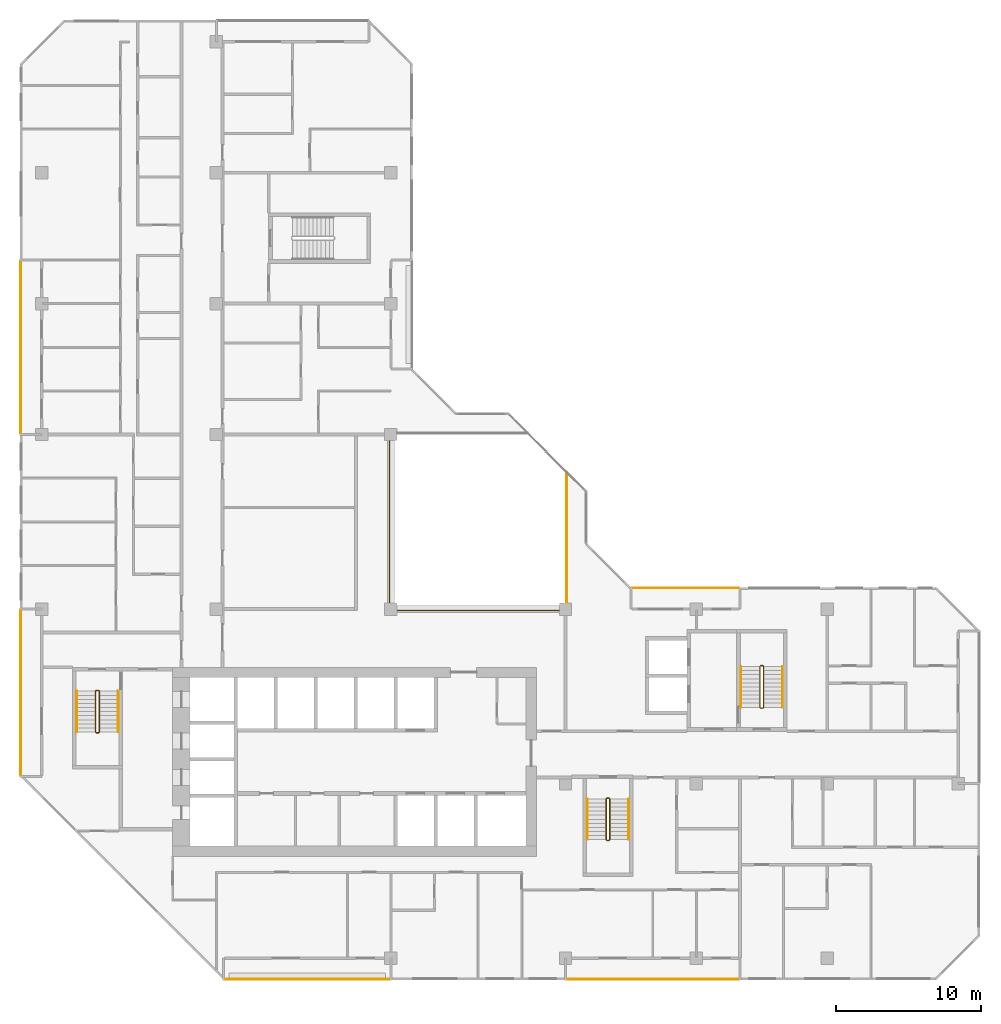
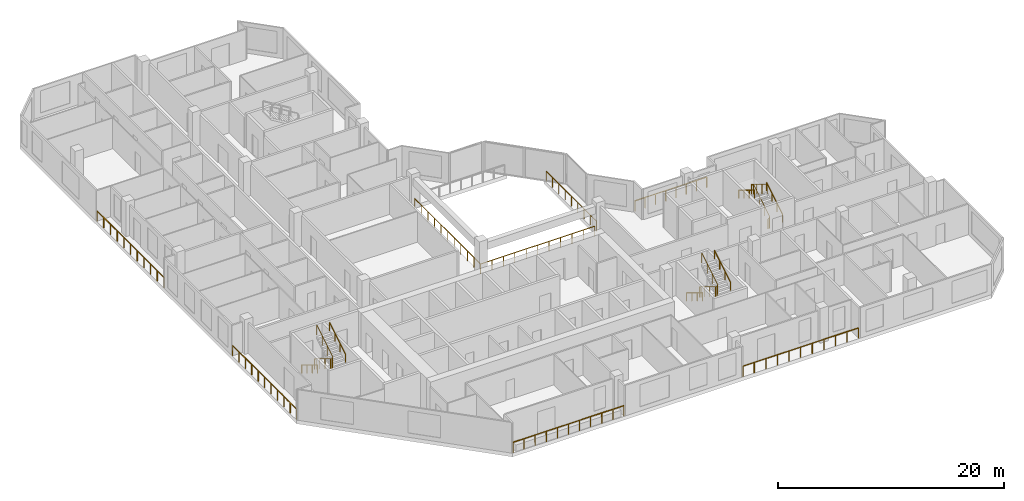
# One storey, part 14 of 15: 16 railings.
"""IFC4 building model written with IfcOpenShell, lengths in metres."""

from ifc_helpers import new_model, si_unit, direction, frame, origin, origin_2d, place, context, subcontext, project, spatial, rectangle, extrude, material, type_object, element, save


model = new_model("IFC4")

# Units and contexts
model_context = context("Model", 3, precision=1e-05, world=origin(), true_north=direction((0.0, 1.0)))
body_context = subcontext(model_context, "Body", "Model", "MODEL_VIEW")
ifc_project = project(units=[si_unit("LENGTHUNIT", "METRE"), si_unit("AREAUNIT", "SQUARE_METRE"), si_unit("VOLUMEUNIT", "CUBIC_METRE"), si_unit("PLANEANGLEUNIT", "RADIAN"), si_unit("MASSUNIT", "GRAM", prefix="KILO")], contexts=[model_context])

# Site, building, storey
site_placement = place(None, origin())
site = spatial("IfcSite", under=ifc_project, at=site_placement, CompositionType="ELEMENT")
building_placement = place(site_placement, origin())
building = spatial("IfcBuilding", under=site, at=building_placement, Name="Chenar Terraces", CompositionType="ELEMENT")
storey_placement = place(building_placement, frame((0.0, 0.0, 252.89990234375)))
storey = spatial("IfcBuildingStorey", under=building, at=storey_placement, Name="L60", CompositionType="ELEMENT", Elevation=252.89990234375)

# Railings
ifc_material_1 = material(Name="Powder-coated steel", Category="steel")
railing_type_1 = type_object("IfcRailingType", Name="Guard 1100 steel rail with glass infill", PredefinedType="GUARDRAIL", material=ifc_material_1)
railing_1_placement = place(storey_placement, frame((23.89990234375, 35.574951171875, 0.0)))
element("IfcRailing", 1, at=railing_1_placement, inside=storey, type_object=railing_type_1, Name="Guard L60-1", PredefinedType="GUARDRAIL", context=body_context, shape_type="SweptSolid", body=[
    extrude(rectangle(XDim=0.06005859375, YDim=0.06005859375, at=origin_2d()), frame((0.0, 0.0, 1.070068359375), z_axis=(0.0, -1.0, 0.0), x_axis=(1.0, 0.0, 0.0)), (0.0, 0.0, 1.0), 11.675048828125),
    extrude(rectangle(XDim=0.06005859375, YDim=0.06005859375, at=origin_2d()), frame((0.0, -11.675048828125, 1.070068359375), z_axis=(1.0, 0.0, 0.0), x_axis=(0.0, 1.0, 0.0)), (0.0, 0.0, 1.0), 11.675048828125),
    extrude(rectangle(XDim=0.050048828125, YDim=0.050048828125, at=origin_2d()), origin(), (0.0, 0.0, 1.0), 1.0400390625),
    extrude(rectangle(XDim=0.050048828125, YDim=0.050048828125, at=origin_2d()), frame((0.0, -1.16748046875, 0.0)), (0.0, 0.0, 1.0), 1.0400390625),
    extrude(rectangle(XDim=0.050048828125, YDim=0.050048828125, at=origin_2d()), frame((0.0, -2.3349609375, 0.0)), (0.0, 0.0, 1.0), 1.0400390625),
    extrude(rectangle(XDim=0.050048828125, YDim=0.050048828125, at=origin_2d()), frame((0.0, -3.50244140625, 0.0)), (0.0, 0.0, 1.0), 1.0400390625),
    extrude(rectangle(XDim=0.050048828125, YDim=0.050048828125, at=origin_2d()), frame((0.0, -4.669921875, 0.0)), (0.0, 0.0, 1.0), 1.0400390625),
    extrude(rectangle(XDim=0.050048828125, YDim=0.050048828125, at=origin_2d()), frame((0.0, -5.83740234375, 0.0)), (0.0, 0.0, 1.0), 1.0400390625),
    extrude(rectangle(XDim=0.050048828125, YDim=0.050048828125, at=origin_2d()), frame((0.0, -7.005126953125, 0.0)), (0.0, 0.0, 1.0), 1.0400390625),
    extrude(rectangle(XDim=0.050048828125, YDim=0.050048828125, at=origin_2d()), frame((0.0, -8.172607421875, 0.0)), (0.0, 0.0, 1.0), 1.0400390625),
    extrude(rectangle(XDim=0.050048828125, YDim=0.050048828125, at=origin_2d()), frame((0.0, -9.340087890625, 0.0)), (0.0, 0.0, 1.0), 1.0400390625),
    extrude(rectangle(XDim=0.050048828125, YDim=0.050048828125, at=origin_2d()), frame((0.0, -10.507568359375, 0.0)), (0.0, 0.0, 1.0), 1.0400390625),
    extrude(rectangle(XDim=0.050048828125, YDim=0.050048828125, at=origin_2d()), frame((0.0, -11.675048828125, 0.0)), (0.0, 0.0, 1.0), 1.0400390625),
    extrude(rectangle(XDim=0.050048828125, YDim=0.050048828125, at=origin_2d()), frame((1.16748046875, -11.675048828125, 0.0)), (0.0, 0.0, 1.0), 1.0400390625),
    extrude(rectangle(XDim=0.050048828125, YDim=0.050048828125, at=origin_2d()), frame((2.3349609375, -11.675048828125, 0.0)), (0.0, 0.0, 1.0), 1.0400390625),
    extrude(rectangle(XDim=0.050048828125, YDim=0.050048828125, at=origin_2d()), frame((3.50244140625, -11.675048828125, 0.0)), (0.0, 0.0, 1.0), 1.0400390625),
    extrude(rectangle(XDim=0.050048828125, YDim=0.050048828125, at=origin_2d()), frame((4.669921875, -11.675048828125, 0.0)), (0.0, 0.0, 1.0), 1.0400390625),
    extrude(rectangle(XDim=0.050048828125, YDim=0.050048828125, at=origin_2d()), frame((5.83740234375, -11.675048828125, 0.0)), (0.0, 0.0, 1.0), 1.0400390625),
    extrude(rectangle(XDim=0.050048828125, YDim=0.050048828125, at=origin_2d()), frame((7.005126953125, -11.675048828125, 0.0)), (0.0, 0.0, 1.0), 1.0400390625),
    extrude(rectangle(XDim=0.050048828125, YDim=0.050048828125, at=origin_2d()), frame((8.172607421875, -11.675048828125, 0.0)), (0.0, 0.0, 1.0), 1.0400390625),
    extrude(rectangle(XDim=0.050048828125, YDim=0.050048828125, at=origin_2d()), frame((9.340087890625, -11.675048828125, 0.0)), (0.0, 0.0, 1.0), 1.0400390625),
    extrude(rectangle(XDim=0.050048828125, YDim=0.050048828125, at=origin_2d()), frame((10.507568359375, -11.675048828125, 0.0)), (0.0, 0.0, 1.0), 1.0400390625),
    extrude(rectangle(XDim=0.050048828125, YDim=0.050048828125, at=origin_2d()), frame((11.675048828125, -11.675048828125, 0.0)), (0.0, 0.0, 1.0), 1.0400390625),
])
railing_2_placement = place(storey_placement, frame((36.10009765625, 24.47509765625, 0.0)))
element("IfcRailing", 2, at=railing_2_placement, inside=storey, type_object=railing_type_1, Name="Guard L60-3", PredefinedType="GUARDRAIL", context=body_context, shape_type="SweptSolid", body=[
    extrude(rectangle(XDim=0.06005859375, YDim=0.06005859375, at=origin_2d()), frame((0.0, 0.0, 1.070068359375), z_axis=(0.0, 1.0, 0.0), x_axis=(-1.0, 0.0, 0.0)), (0.0, 0.0, 1.0), 8.9248046875),
    extrude(rectangle(XDim=0.050048828125, YDim=0.050048828125, at=origin_2d()), origin(), (0.0, 0.0, 1.0), 1.0400390625),
    extrude(rectangle(XDim=0.050048828125, YDim=0.050048828125, at=origin_2d()), frame((0.0, 1.11572265625, 0.0)), (0.0, 0.0, 1.0), 1.0400390625),
    extrude(rectangle(XDim=0.050048828125, YDim=0.050048828125, at=origin_2d()), frame((0.0, 2.231201171875, 0.0)), (0.0, 0.0, 1.0), 1.0400390625),
    extrude(rectangle(XDim=0.050048828125, YDim=0.050048828125, at=origin_2d()), frame((0.0, 3.3466796875, 0.0)), (0.0, 0.0, 1.0), 1.0400390625),
    extrude(rectangle(XDim=0.050048828125, YDim=0.050048828125, at=origin_2d()), frame((0.0, 4.46240234375, 0.0)), (0.0, 0.0, 1.0), 1.0400390625),
    extrude(rectangle(XDim=0.050048828125, YDim=0.050048828125, at=origin_2d()), frame((0.0, 5.578125, 0.0)), (0.0, 0.0, 1.0), 1.0400390625),
    extrude(rectangle(XDim=0.050048828125, YDim=0.050048828125, at=origin_2d()), frame((0.0, 6.693603515625, 0.0)), (0.0, 0.0, 1.0), 1.0400390625),
    extrude(rectangle(XDim=0.050048828125, YDim=0.050048828125, at=origin_2d()), frame((0.0, 7.80908203125, 0.0)), (0.0, 0.0, 1.0), 1.0400390625),
    extrude(rectangle(XDim=0.050048828125, YDim=0.050048828125, at=origin_2d()), frame((0.0, 8.9248046875, 0.0)), (0.0, 0.0, 1.0), 1.0400390625),
])
ifc_material_2 = material(Name="Stainless steel and glass", Category="steel")
railing_type_2 = type_object("IfcRailingType", Name="Loggia guard 1150", PredefinedType="GUARDRAIL", material=ifc_material_2)
railing_3_placement = place(storey_placement, frame((47.925048828125, 25.449951171875, 0.0)))
element("IfcRailing", 3, at=railing_3_placement, inside=storey, type_object=railing_type_2, Name="Loggia guard", PredefinedType="GUARDRAIL", context=body_context, shape_type="SweptSolid", body=[
    extrude(rectangle(XDim=0.048095703125, YDim=0.048095703125, at=origin_2d()), frame((0.0, 0.0, 1.1259765625), z_axis=(-1.0, 0.0, 0.0), x_axis=(0.0, -1.0, 0.0)), (0.0, 0.0, 1.0), 7.35009765625),
    extrude(rectangle(XDim=0.0419921875, YDim=0.0419921875, at=origin_2d()), origin(), (0.0, 0.0, 1.0), 1.101806640625),
    extrude(rectangle(XDim=0.0419921875, YDim=0.0419921875, at=origin_2d()), frame((-1.050048828125, 0.0, 0.0)), (0.0, 0.0, 1.0), 1.101806640625),
    extrude(rectangle(XDim=0.0419921875, YDim=0.0419921875, at=origin_2d()), frame((-2.10009765625, 0.0, 0.0)), (0.0, 0.0, 1.0), 1.101806640625),
    extrude(rectangle(XDim=0.0419921875, YDim=0.0419921875, at=origin_2d()), frame((-3.150146484375, 0.0, 0.0)), (0.0, 0.0, 1.0), 1.101806640625),
    extrude(rectangle(XDim=0.0419921875, YDim=0.0419921875, at=origin_2d()), frame((-4.199951171875, 0.0, 0.0)), (0.0, 0.0, 1.0), 1.101806640625),
    extrude(rectangle(XDim=0.0419921875, YDim=0.0419921875, at=origin_2d()), frame((-5.25, 0.0, 0.0)), (0.0, 0.0, 1.0), 1.101806640625),
    extrude(rectangle(XDim=0.0419921875, YDim=0.0419921875, at=origin_2d()), frame((-6.300048828125, 0.0, 0.0)), (0.0, 0.0, 1.0), 1.101806640625),
    extrude(rectangle(XDim=0.0419921875, YDim=0.0419921875, at=origin_2d()), frame((-7.35009765625, 0.0, 0.0)), (0.0, 0.0, 1.0), 1.101806640625),
])
railing_4_placement = place(storey_placement, frame((12.574951171875, -1.449951171875, 0.0)))
element("IfcRailing", 4, at=railing_4_placement, inside=storey, type_object=railing_type_2, Name="Loggia guard", PredefinedType="GUARDRAIL", context=body_context, shape_type="SweptSolid", body=[
    extrude(rectangle(XDim=0.048095703125, YDim=0.048095703125, at=origin_2d()), frame((0.0, 0.0, 1.1259765625), z_axis=(1.0, 0.0, 0.0), x_axis=(0.0, 1.0, 0.0)), (0.0, 0.0, 1.0), 11.35009765625),
    extrude(rectangle(XDim=0.0419921875, YDim=0.0419921875, at=origin_2d()), origin(), (0.0, 0.0, 1.0), 1.101806640625),
    extrude(rectangle(XDim=0.0419921875, YDim=0.0419921875, at=origin_2d()), frame((1.135009765625, 0.0, 0.0)), (0.0, 0.0, 1.0), 1.101806640625),
    extrude(rectangle(XDim=0.0419921875, YDim=0.0419921875, at=origin_2d()), frame((2.27001953125, 0.0, 0.0)), (0.0, 0.0, 1.0), 1.101806640625),
    extrude(rectangle(XDim=0.0419921875, YDim=0.0419921875, at=origin_2d()), frame((3.405029296875, 0.0, 0.0)), (0.0, 0.0, 1.0), 1.101806640625),
    extrude(rectangle(XDim=0.0419921875, YDim=0.0419921875, at=origin_2d()), frame((4.5400390625, 0.0, 0.0)), (0.0, 0.0, 1.0), 1.101806640625),
    extrude(rectangle(XDim=0.0419921875, YDim=0.0419921875, at=origin_2d()), frame((5.675048828125, 0.0, 0.0)), (0.0, 0.0, 1.0), 1.101806640625),
    extrude(rectangle(XDim=0.0419921875, YDim=0.0419921875, at=origin_2d()), frame((6.81005859375, 0.0, 0.0)), (0.0, 0.0, 1.0), 1.101806640625),
    extrude(rectangle(XDim=0.0419921875, YDim=0.0419921875, at=origin_2d()), frame((7.945068359375, 0.0, 0.0)), (0.0, 0.0, 1.0), 1.101806640625),
    extrude(rectangle(XDim=0.0419921875, YDim=0.0419921875, at=origin_2d()), frame((9.080078125, 0.0, 0.0)), (0.0, 0.0, 1.0), 1.101806640625),
    extrude(rectangle(XDim=0.0419921875, YDim=0.0419921875, at=origin_2d()), frame((10.215087890625, 0.0, 0.0)), (0.0, 0.0, 1.0), 1.101806640625),
    extrude(rectangle(XDim=0.0419921875, YDim=0.0419921875, at=origin_2d()), frame((11.35009765625, 0.0, 0.0)), (0.0, 0.0, 1.0), 1.101806640625),
])
railing_5_placement = place(storey_placement, frame((36.074951171875, -1.449951171875, 0.0)))
element("IfcRailing", 5, at=railing_5_placement, inside=storey, type_object=railing_type_2, Name="Loggia guard", PredefinedType="GUARDRAIL", context=body_context, shape_type="SweptSolid", body=[
    extrude(rectangle(XDim=0.048095703125, YDim=0.048095703125, at=origin_2d()), frame((0.0, 0.0, 1.1259765625), z_axis=(1.0, 0.0, 0.0), x_axis=(0.0, 1.0, 0.0)), (0.0, 0.0, 1.0), 11.85009765625),
    extrude(rectangle(XDim=0.0419921875, YDim=0.0419921875, at=origin_2d()), origin(), (0.0, 0.0, 1.0), 1.101806640625),
    extrude(rectangle(XDim=0.0419921875, YDim=0.0419921875, at=origin_2d()), frame((1.18505859375, 0.0, 0.0)), (0.0, 0.0, 1.0), 1.101806640625),
    extrude(rectangle(XDim=0.0419921875, YDim=0.0419921875, at=origin_2d()), frame((2.3701171875, 0.0, 0.0)), (0.0, 0.0, 1.0), 1.101806640625),
    extrude(rectangle(XDim=0.0419921875, YDim=0.0419921875, at=origin_2d()), frame((3.554931640625, 0.0, 0.0)), (0.0, 0.0, 1.0), 1.101806640625),
    extrude(rectangle(XDim=0.0419921875, YDim=0.0419921875, at=origin_2d()), frame((4.739990234375, 0.0, 0.0)), (0.0, 0.0, 1.0), 1.101806640625),
    extrude(rectangle(XDim=0.0419921875, YDim=0.0419921875, at=origin_2d()), frame((5.925048828125, 0.0, 0.0)), (0.0, 0.0, 1.0), 1.101806640625),
    extrude(rectangle(XDim=0.0419921875, YDim=0.0419921875, at=origin_2d()), frame((7.110107421875, 0.0, 0.0)), (0.0, 0.0, 1.0), 1.101806640625),
    extrude(rectangle(XDim=0.0419921875, YDim=0.0419921875, at=origin_2d()), frame((8.295166015625, 0.0, 0.0)), (0.0, 0.0, 1.0), 1.101806640625),
    extrude(rectangle(XDim=0.0419921875, YDim=0.0419921875, at=origin_2d()), frame((9.47998046875, 0.0, 0.0)), (0.0, 0.0, 1.0), 1.101806640625),
    extrude(rectangle(XDim=0.0419921875, YDim=0.0419921875, at=origin_2d()), frame((10.6650390625, 0.0, 0.0)), (0.0, 0.0, 1.0), 1.101806640625),
    extrude(rectangle(XDim=0.0419921875, YDim=0.0419921875, at=origin_2d()), frame((11.85009765625, 0.0, 0.0)), (0.0, 0.0, 1.0), 1.101806640625),
])
railing_6_placement = place(storey_placement, frame((-1.449951171875, 47.925048828125, 0.0)))
element("IfcRailing", 6, at=railing_6_placement, inside=storey, type_object=railing_type_2, Name="Loggia guard", PredefinedType="GUARDRAIL", context=body_context, shape_type="SweptSolid", body=[
    extrude(rectangle(XDim=0.048095703125, YDim=0.048095703125, at=origin_2d()), frame((0.0, 0.0, 1.1259765625), z_axis=(0.0, -1.0, 0.0), x_axis=(1.0, 0.0, 0.0)), (0.0, 0.0, 1.0), 11.85009765625),
    extrude(rectangle(XDim=0.0419921875, YDim=0.0419921875, at=origin_2d()), origin(), (0.0, 0.0, 1.0), 1.101806640625),
    extrude(rectangle(XDim=0.0419921875, YDim=0.0419921875, at=origin_2d()), frame((0.0, -1.18505859375, 0.0)), (0.0, 0.0, 1.0), 1.101806640625),
    extrude(rectangle(XDim=0.0419921875, YDim=0.0419921875, at=origin_2d()), frame((0.0, -2.3701171875, 0.0)), (0.0, 0.0, 1.0), 1.101806640625),
    extrude(rectangle(XDim=0.0419921875, YDim=0.0419921875, at=origin_2d()), frame((0.0, -3.554931640625, 0.0)), (0.0, 0.0, 1.0), 1.101806640625),
    extrude(rectangle(XDim=0.0419921875, YDim=0.0419921875, at=origin_2d()), frame((0.0, -4.739990234375, 0.0)), (0.0, 0.0, 1.0), 1.101806640625),
    extrude(rectangle(XDim=0.0419921875, YDim=0.0419921875, at=origin_2d()), frame((0.0, -5.925048828125, 0.0)), (0.0, 0.0, 1.0), 1.101806640625),
    extrude(rectangle(XDim=0.0419921875, YDim=0.0419921875, at=origin_2d()), frame((0.0, -7.110107421875, 0.0)), (0.0, 0.0, 1.0), 1.101806640625),
    extrude(rectangle(XDim=0.0419921875, YDim=0.0419921875, at=origin_2d()), frame((0.0, -8.295166015625, 0.0)), (0.0, 0.0, 1.0), 1.101806640625),
    extrude(rectangle(XDim=0.0419921875, YDim=0.0419921875, at=origin_2d()), frame((0.0, -9.47998046875, 0.0)), (0.0, 0.0, 1.0), 1.101806640625),
    extrude(rectangle(XDim=0.0419921875, YDim=0.0419921875, at=origin_2d()), frame((0.0, -10.6650390625, 0.0)), (0.0, 0.0, 1.0), 1.101806640625),
    extrude(rectangle(XDim=0.0419921875, YDim=0.0419921875, at=origin_2d()), frame((0.0, -11.85009765625, 0.0)), (0.0, 0.0, 1.0), 1.101806640625),
])
railing_7_placement = place(storey_placement, frame((-1.449951171875, 23.925048828125, 0.0)))
element("IfcRailing", 7, at=railing_7_placement, inside=storey, type_object=railing_type_2, Name="Loggia guard", PredefinedType="GUARDRAIL", context=body_context, shape_type="SweptSolid", body=[
    extrude(rectangle(XDim=0.048095703125, YDim=0.048095703125, at=origin_2d()), frame((0.0, 0.0, 1.1259765625), z_axis=(0.0, -1.0, 0.0), x_axis=(1.0, 0.0, 0.0)), (0.0, 0.0, 1.0), 11.35009765625),
    extrude(rectangle(XDim=0.0419921875, YDim=0.0419921875, at=origin_2d()), origin(), (0.0, 0.0, 1.0), 1.101806640625),
    extrude(rectangle(XDim=0.0419921875, YDim=0.0419921875, at=origin_2d()), frame((0.0, -1.135009765625, 0.0)), (0.0, 0.0, 1.0), 1.101806640625),
    extrude(rectangle(XDim=0.0419921875, YDim=0.0419921875, at=origin_2d()), frame((0.0, -2.27001953125, 0.0)), (0.0, 0.0, 1.0), 1.101806640625),
    extrude(rectangle(XDim=0.0419921875, YDim=0.0419921875, at=origin_2d()), frame((0.0, -3.405029296875, 0.0)), (0.0, 0.0, 1.0), 1.101806640625),
    extrude(rectangle(XDim=0.0419921875, YDim=0.0419921875, at=origin_2d()), frame((0.0, -4.5400390625, 0.0)), (0.0, 0.0, 1.0), 1.101806640625),
    extrude(rectangle(XDim=0.0419921875, YDim=0.0419921875, at=origin_2d()), frame((0.0, -5.675048828125, 0.0)), (0.0, 0.0, 1.0), 1.101806640625),
    extrude(rectangle(XDim=0.0419921875, YDim=0.0419921875, at=origin_2d()), frame((0.0, -6.81005859375, 0.0)), (0.0, 0.0, 1.0), 1.101806640625),
    extrude(rectangle(XDim=0.0419921875, YDim=0.0419921875, at=origin_2d()), frame((0.0, -7.945068359375, 0.0)), (0.0, 0.0, 1.0), 1.101806640625),
    extrude(rectangle(XDim=0.0419921875, YDim=0.0419921875, at=origin_2d()), frame((0.0, -9.080078125, 0.0)), (0.0, 0.0, 1.0), 1.101806640625),
    extrude(rectangle(XDim=0.0419921875, YDim=0.0419921875, at=origin_2d()), frame((0.0, -10.215087890625, 0.0)), (0.0, 0.0, 1.0), 1.101806640625),
    extrude(rectangle(XDim=0.0419921875, YDim=0.0419921875, at=origin_2d()), frame((0.0, -11.35009765625, 0.0)), (0.0, 0.0, 1.0), 1.101806640625),
])
ifc_material_3 = material(Name="Powder-coated steel", Category="steel")
railing_type_3 = type_object("IfcRailingType", Name="Stair guard 1100", PredefinedType="GUARDRAIL", material=ifc_material_3)
railing_8_placement = place(storey_placement, frame((3.949951171875, 18.35009765625, 3.75)))
element("IfcRailing", 8, at=railing_8_placement, inside=storey, type_object=railing_type_3, Name="L60 ST1 stair guard 1", PredefinedType="GUARDRAIL", context=body_context, shape_type="SweptSolid", body=[
    extrude(rectangle(XDim=0.048095703125, YDim=0.048095703125, at=origin_2d()), frame((0.0, 0.0, 1.076171875), z_axis=(0.0, -0.854202870247, -0.519939858505), x_axis=(1.0, 0.0, 0.0)), (0.0, 0.0, 1.0), 3.278076171875),
    extrude(rectangle(XDim=0.048095703125, YDim=0.048095703125, at=origin_2d()), frame((0.0, -2.800048828125, -0.62841796875), z_axis=(-0.270899902878, -0.270899902878, -0.923702595667), x_axis=(0.707106781187, -0.707106781187, 0.0)), (0.0, 0.0, 1.0), 0.184814453125),
    extrude(rectangle(XDim=0.048095703125, YDim=0.048095703125, at=origin_2d()), frame((-0.050048828125, -2.85009765625, -0.798828125), z_axis=(-1.0, 0.0, 0.0), x_axis=(0.0, -1.0, 0.0)), (0.0, 0.0, 1.0), 0.14990234375),
    extrude(rectangle(XDim=0.048095703125, YDim=0.048095703125, at=origin_2d()), frame((-0.199951171875, -2.85009765625, -0.798828125), z_axis=(-0.707106781187, 0.707106781187, 0.0), x_axis=(-0.707106781187, -0.707106781187, 0.0)), (0.0, 0.0, 1.0), 0.07080078125),
    extrude(rectangle(XDim=0.048095703125, YDim=0.048095703125, at=origin_2d()), frame((-0.25, -2.800048828125, -0.798828125), z_axis=(0.0, 0.854202870247, -0.519939858505), x_axis=(-1.0, 0.0, 0.0)), (0.0, 0.0, 1.0), 3.278076171875),
    extrude(rectangle(XDim=0.048095703125, YDim=0.048095703125, at=origin_2d()), frame((-0.25, 0.0, -2.50341796875), z_axis=(0.270996696079, 0.269674760976, -0.924032636873), x_axis=(-0.705375805398, 0.708833529934, 0.0)), (0.0, 0.0, 1.0), 0.1845703125),
    extrude(rectangle(XDim=0.048095703125, YDim=0.048095703125, at=origin_2d()), frame((-0.199951171875, 0.0498046875, -2.673828125), z_axis=(1.0, 0.0, 0.0), x_axis=(0.0, 1.0, 0.0)), (0.0, 0.0, 1.0), 0.14990234375),
    extrude(rectangle(XDim=0.0419921875, YDim=0.0419921875, at=origin_2d()), origin(), (0.0, 0.0, 1.0), 1.052001953125),
    extrude(rectangle(XDim=0.0419921875, YDim=0.0419921875, at=origin_2d()), frame((0.0, -0.933349609375, -0.568115234375)), (0.0, 0.0, 1.0), 1.052001953125),
    extrude(rectangle(XDim=0.0419921875, YDim=0.0419921875, at=origin_2d()), frame((0.0, -1.86669921875, -1.13623046875)), (0.0, 0.0, 1.0), 1.052001953125),
    extrude(rectangle(XDim=0.0419921875, YDim=0.0419921875, at=origin_2d()), frame((0.0, -2.800048828125, -1.704345703125)), (0.0, 0.0, 1.0), 1.052001953125),
    extrude(rectangle(XDim=0.0419921875, YDim=0.0419921875, at=origin_2d()), frame((-0.050048828125, -2.85009765625, -1.875)), (0.0, 0.0, 1.0), 1.052001953125),
    extrude(rectangle(XDim=0.0419921875, YDim=0.0419921875, at=origin_2d()), frame((-0.199951171875, -2.85009765625, -1.875)), (0.0, 0.0, 1.0), 1.052001953125),
    extrude(rectangle(XDim=0.0419921875, YDim=0.0419921875, at=origin_2d()), frame((-0.25, -2.800048828125, -1.875)), (0.0, 0.0, 1.0), 1.052001953125),
    extrude(rectangle(XDim=0.0419921875, YDim=0.0419921875, at=origin_2d()), frame((-0.25, -1.86669921875, -2.443115234375)), (0.0, 0.0, 1.0), 1.052001953125),
    extrude(rectangle(XDim=0.0419921875, YDim=0.0419921875, at=origin_2d()), frame((-0.25, -0.933349609375, -3.01123046875)), (0.0, 0.0, 1.0), 1.052001953125),
    extrude(rectangle(XDim=0.0419921875, YDim=0.0419921875, at=origin_2d()), frame((-0.25, 0.0, -3.579345703125)), (0.0, 0.0, 1.0), 1.052001953125),
    extrude(rectangle(XDim=0.0419921875, YDim=0.0419921875, at=origin_2d()), frame((-0.199951171875, 0.0498046875, -3.75)), (0.0, 0.0, 1.0), 1.052001953125),
    extrude(rectangle(XDim=0.0419921875, YDim=0.0419921875, at=origin_2d()), frame((-0.050048828125, 0.0498046875, -3.75)), (0.0, 0.0, 1.0), 1.052001953125),
])
railing_9_placement = place(storey_placement, frame((39.050048828125, 10.949951171875, 3.75)))
element("IfcRailing", 9, at=railing_9_placement, inside=storey, type_object=railing_type_3, Name="L60 ST2 stair guard 1", PredefinedType="GUARDRAIL", context=body_context, shape_type="SweptSolid", body=[
    extrude(rectangle(XDim=0.048095703125, YDim=0.048095703125, at=origin_2d()), frame((0.0, 0.0, 1.076171875), z_axis=(0.0, -0.854202870247, -0.519939858505), x_axis=(1.0, 0.0, 0.0)), (0.0, 0.0, 1.0), 3.278076171875),
    extrude(rectangle(XDim=0.048095703125, YDim=0.048095703125, at=origin_2d()), frame((0.0, -2.800048828125, -0.62841796875), z_axis=(-0.270996696079, -0.269674760976, -0.924032636873), x_axis=(0.705375805398, -0.708833529934, 0.0)), (0.0, 0.0, 1.0), 0.1845703125),
    extrude(rectangle(XDim=0.048095703125, YDim=0.048095703125, at=origin_2d()), frame((-0.050048828125, -2.849853515625, -0.798828125), z_axis=(-1.0, 0.0, 0.0), x_axis=(0.0, -1.0, 0.0)), (0.0, 0.0, 1.0), 0.14990234375),
    extrude(rectangle(XDim=0.048095703125, YDim=0.048095703125, at=origin_2d()), frame((-0.199951171875, -2.849853515625, -0.798828125), z_axis=(-0.708833529934, 0.705375805398, 0.0), x_axis=(-0.705375805398, -0.708833529934, 0.0)), (0.0, 0.0, 1.0), 0.070556640625),
    extrude(rectangle(XDim=0.048095703125, YDim=0.048095703125, at=origin_2d()), frame((-0.25, -2.800048828125, -0.798828125), z_axis=(0.0, 0.854202870247, -0.519939858505), x_axis=(-1.0, 0.0, 0.0)), (0.0, 0.0, 1.0), 3.278076171875),
    extrude(rectangle(XDim=0.048095703125, YDim=0.048095703125, at=origin_2d()), frame((-0.25, 0.0, -2.50341796875), z_axis=(0.270899902878, 0.270899902878, -0.923702595667), x_axis=(-0.707106781187, 0.707106781187, 0.0)), (0.0, 0.0, 1.0), 0.184814453125),
    extrude(rectangle(XDim=0.048095703125, YDim=0.048095703125, at=origin_2d()), frame((-0.199951171875, 0.050048828125, -2.673828125), z_axis=(1.0, 0.0, 0.0), x_axis=(0.0, 1.0, 0.0)), (0.0, 0.0, 1.0), 0.14990234375),
    extrude(rectangle(XDim=0.0419921875, YDim=0.0419921875, at=origin_2d()), origin(), (0.0, 0.0, 1.0), 1.052001953125),
    extrude(rectangle(XDim=0.0419921875, YDim=0.0419921875, at=origin_2d()), frame((0.0, -0.933349609375, -0.568115234375)), (0.0, 0.0, 1.0), 1.052001953125),
    extrude(rectangle(XDim=0.0419921875, YDim=0.0419921875, at=origin_2d()), frame((0.0, -1.86669921875, -1.13623046875)), (0.0, 0.0, 1.0), 1.052001953125),
    extrude(rectangle(XDim=0.0419921875, YDim=0.0419921875, at=origin_2d()), frame((0.0, -2.800048828125, -1.704345703125)), (0.0, 0.0, 1.0), 1.052001953125),
    extrude(rectangle(XDim=0.0419921875, YDim=0.0419921875, at=origin_2d()), frame((-0.050048828125, -2.849853515625, -1.875)), (0.0, 0.0, 1.0), 1.052001953125),
    extrude(rectangle(XDim=0.0419921875, YDim=0.0419921875, at=origin_2d()), frame((-0.199951171875, -2.849853515625, -1.875)), (0.0, 0.0, 1.0), 1.052001953125),
    extrude(rectangle(XDim=0.0419921875, YDim=0.0419921875, at=origin_2d()), frame((-0.25, -2.800048828125, -1.875)), (0.0, 0.0, 1.0), 1.052001953125),
    extrude(rectangle(XDim=0.0419921875, YDim=0.0419921875, at=origin_2d()), frame((-0.25, -1.86669921875, -2.443115234375)), (0.0, 0.0, 1.0), 1.052001953125),
    extrude(rectangle(XDim=0.0419921875, YDim=0.0419921875, at=origin_2d()), frame((-0.25, -0.933349609375, -3.01123046875)), (0.0, 0.0, 1.0), 1.052001953125),
    extrude(rectangle(XDim=0.0419921875, YDim=0.0419921875, at=origin_2d()), frame((-0.25, 0.0, -3.579345703125)), (0.0, 0.0, 1.0), 1.052001953125),
    extrude(rectangle(XDim=0.0419921875, YDim=0.0419921875, at=origin_2d()), frame((-0.199951171875, 0.050048828125, -3.75)), (0.0, 0.0, 1.0), 1.052001953125),
    extrude(rectangle(XDim=0.0419921875, YDim=0.0419921875, at=origin_2d()), frame((-0.050048828125, 0.050048828125, -3.75)), (0.0, 0.0, 1.0), 1.052001953125),
])
railing_10_placement = place(storey_placement, frame((49.375, 17.25, 3.75)))
element("IfcRailing", 10, at=railing_10_placement, inside=storey, type_object=railing_type_3, Name="L60 ST3 stair guard 1", PredefinedType="GUARDRAIL", context=body_context, shape_type="SweptSolid", body=[
    extrude(rectangle(XDim=0.048095703125, YDim=0.048095703125, at=origin_2d()), frame((0.0, 0.0, 1.076171875), z_axis=(0.0, 0.854202870247, -0.519939858505), x_axis=(-1.0, 0.0, 0.0)), (0.0, 0.0, 1.0), 3.278076171875),
    extrude(rectangle(XDim=0.048095703125, YDim=0.048095703125, at=origin_2d()), frame((0.0, 2.800048828125, -0.62841796875), z_axis=(0.270899902878, 0.270899902878, -0.923702595667), x_axis=(-0.707106781187, 0.707106781187, 0.0)), (0.0, 0.0, 1.0), 0.184814453125),
    extrude(rectangle(XDim=0.048095703125, YDim=0.048095703125, at=origin_2d()), frame((0.050048828125, 2.85009765625, -0.798828125), z_axis=(1.0, 0.0, 0.0), x_axis=(0.0, 1.0, 0.0)), (0.0, 0.0, 1.0), 0.14990234375),
    extrude(rectangle(XDim=0.048095703125, YDim=0.048095703125, at=origin_2d()), frame((0.199951171875, 2.85009765625, -0.798828125), z_axis=(0.707106781187, -0.707106781187, 0.0), x_axis=(0.707106781187, 0.707106781187, 0.0)), (0.0, 0.0, 1.0), 0.07080078125),
    extrude(rectangle(XDim=0.048095703125, YDim=0.048095703125, at=origin_2d()), frame((0.25, 2.800048828125, -0.798828125), z_axis=(0.0, -0.854202870247, -0.519939858505), x_axis=(1.0, 0.0, 0.0)), (0.0, 0.0, 1.0), 3.278076171875),
    extrude(rectangle(XDim=0.048095703125, YDim=0.048095703125, at=origin_2d()), frame((0.25, 0.0, -2.50341796875), z_axis=(-0.270899902878, -0.270899902878, -0.923702595667), x_axis=(0.707106781187, -0.707106781187, 0.0)), (0.0, 0.0, 1.0), 0.184814453125),
    extrude(rectangle(XDim=0.048095703125, YDim=0.048095703125, at=origin_2d()), frame((0.199951171875, -0.050048828125, -2.673828125), z_axis=(-1.0, 0.0, 0.0), x_axis=(0.0, -1.0, 0.0)), (0.0, 0.0, 1.0), 0.14990234375),
    extrude(rectangle(XDim=0.0419921875, YDim=0.0419921875, at=origin_2d()), origin(), (0.0, 0.0, 1.0), 1.052001953125),
    extrude(rectangle(XDim=0.0419921875, YDim=0.0419921875, at=origin_2d()), frame((0.0, 0.933349609375, -0.568115234375)), (0.0, 0.0, 1.0), 1.052001953125),
    extrude(rectangle(XDim=0.0419921875, YDim=0.0419921875, at=origin_2d()), frame((0.0, 1.86669921875, -1.13623046875)), (0.0, 0.0, 1.0), 1.052001953125),
    extrude(rectangle(XDim=0.0419921875, YDim=0.0419921875, at=origin_2d()), frame((0.0, 2.800048828125, -1.704345703125)), (0.0, 0.0, 1.0), 1.052001953125),
    extrude(rectangle(XDim=0.0419921875, YDim=0.0419921875, at=origin_2d()), frame((0.050048828125, 2.85009765625, -1.875)), (0.0, 0.0, 1.0), 1.052001953125),
    extrude(rectangle(XDim=0.0419921875, YDim=0.0419921875, at=origin_2d()), frame((0.199951171875, 2.85009765625, -1.875)), (0.0, 0.0, 1.0), 1.052001953125),
    extrude(rectangle(XDim=0.0419921875, YDim=0.0419921875, at=origin_2d()), frame((0.25, 2.800048828125, -1.875)), (0.0, 0.0, 1.0), 1.052001953125),
    extrude(rectangle(XDim=0.0419921875, YDim=0.0419921875, at=origin_2d()), frame((0.25, 1.86669921875, -2.443115234375)), (0.0, 0.0, 1.0), 1.052001953125),
    extrude(rectangle(XDim=0.0419921875, YDim=0.0419921875, at=origin_2d()), frame((0.25, 0.933349609375, -3.01123046875)), (0.0, 0.0, 1.0), 1.052001953125),
    extrude(rectangle(XDim=0.0419921875, YDim=0.0419921875, at=origin_2d()), frame((0.25, 0.0, -3.579345703125)), (0.0, 0.0, 1.0), 1.052001953125),
    extrude(rectangle(XDim=0.0419921875, YDim=0.0419921875, at=origin_2d()), frame((0.199951171875, -0.050048828125, -3.75)), (0.0, 0.0, 1.0), 1.052001953125),
    extrude(rectangle(XDim=0.0419921875, YDim=0.0419921875, at=origin_2d()), frame((0.050048828125, -0.050048828125, -3.75)), (0.0, 0.0, 1.0), 1.052001953125),
])
ifc_material_4 = material(Name="Powder-coated steel", Category="steel")
railing_type_4 = type_object("IfcRailingType", Name="Stair handrail 900", PredefinedType="HANDRAIL", material=ifc_material_4)
railing_11_placement = place(storey_placement, frame((2.39990234375, 18.35009765625, 0.170654296875)))
element("IfcRailing", 11, at=railing_11_placement, inside=storey, type_object=railing_type_4, Name="L60 ST1 stair handrail 1", PredefinedType="HANDRAIL", context=body_context, shape_type="SweptSolid", body=[
    extrude(rectangle(XDim=0.048095703125, YDim=0.048095703125, at=origin_2d()), frame((0.0, 0.0, 0.8759765625), z_axis=(0.0, -0.854202870247, 0.519939858505), x_axis=(1.0, 0.0, 0.0)), (0.0, 0.0, 1.0), 3.278076171875),
    extrude(rectangle(XDim=0.0419921875, YDim=0.0419921875, at=origin_2d()), origin(), (0.0, 0.0, 1.0), 0.851806640625),
    extrude(rectangle(XDim=0.0419921875, YDim=0.0419921875, at=origin_2d()), frame((0.0, -0.933349609375, 0.568115234375)), (0.0, 0.0, 1.0), 0.851806640625),
    extrude(rectangle(XDim=0.0419921875, YDim=0.0419921875, at=origin_2d()), frame((0.0, -1.86669921875, 1.13623046875)), (0.0, 0.0, 1.0), 0.851806640625),
    extrude(rectangle(XDim=0.0419921875, YDim=0.0419921875, at=origin_2d()), frame((0.0, -2.800048828125, 1.704345703125)), (0.0, 0.0, 1.0), 0.851806640625),
])
railing_12_placement = place(storey_placement, frame((5.25, 15.550048828125, 2.045654296875)))
element("IfcRailing", 12, at=railing_12_placement, inside=storey, type_object=railing_type_4, Name="L60 ST1 stair handrail 2", PredefinedType="HANDRAIL", context=body_context, shape_type="SweptSolid", body=[
    extrude(rectangle(XDim=0.048095703125, YDim=0.048095703125, at=origin_2d()), frame((0.0, 0.0, 0.8759765625), z_axis=(0.0, 0.854202870247, 0.519939858505), x_axis=(-1.0, 0.0, 0.0)), (0.0, 0.0, 1.0), 3.278076171875),
    extrude(rectangle(XDim=0.0419921875, YDim=0.0419921875, at=origin_2d()), origin(), (0.0, 0.0, 1.0), 0.851806640625),
    extrude(rectangle(XDim=0.0419921875, YDim=0.0419921875, at=origin_2d()), frame((0.0, 0.933349609375, 0.568115234375)), (0.0, 0.0, 1.0), 0.851806640625),
    extrude(rectangle(XDim=0.0419921875, YDim=0.0419921875, at=origin_2d()), frame((0.0, 1.86669921875, 1.13623046875)), (0.0, 0.0, 1.0), 0.851806640625),
    extrude(rectangle(XDim=0.0419921875, YDim=0.0419921875, at=origin_2d()), frame((0.0, 2.800048828125, 1.704345703125)), (0.0, 0.0, 1.0), 0.851806640625),
])
railing_13_placement = place(storey_placement, frame((37.5, 10.949951171875, 0.170654296875)))
element("IfcRailing", 13, at=railing_13_placement, inside=storey, type_object=railing_type_4, Name="L60 ST2 stair handrail 1", PredefinedType="HANDRAIL", context=body_context, shape_type="SweptSolid", body=[
    extrude(rectangle(XDim=0.048095703125, YDim=0.048095703125, at=origin_2d()), frame((0.0, 0.0, 0.8759765625), z_axis=(0.0, -0.854202870247, 0.519939858505), x_axis=(1.0, 0.0, 0.0)), (0.0, 0.0, 1.0), 3.278076171875),
    extrude(rectangle(XDim=0.0419921875, YDim=0.0419921875, at=origin_2d()), origin(), (0.0, 0.0, 1.0), 0.851806640625),
    extrude(rectangle(XDim=0.0419921875, YDim=0.0419921875, at=origin_2d()), frame((0.0, -0.933349609375, 0.568115234375)), (0.0, 0.0, 1.0), 0.851806640625),
    extrude(rectangle(XDim=0.0419921875, YDim=0.0419921875, at=origin_2d()), frame((0.0, -1.86669921875, 1.13623046875)), (0.0, 0.0, 1.0), 0.851806640625),
    extrude(rectangle(XDim=0.0419921875, YDim=0.0419921875, at=origin_2d()), frame((0.0, -2.800048828125, 1.704345703125)), (0.0, 0.0, 1.0), 0.851806640625),
])
for number, where, name in (
    (14, (40.35009765625, 8.14990234375, 2.045654296875), "L60 ST2 stair handrail 2"),
    (15, (50.925048828125, 17.25, 0.170654296875), "L60 ST3 stair handrail 1"),
):
    element("IfcRailing", number, at=place(storey_placement, frame(where)), inside=storey, type_object=railing_type_4, Name=name, PredefinedType="HANDRAIL", context=body_context, shape_type="SweptSolid", body=[
        extrude(rectangle(XDim=0.048095703125, YDim=0.048095703125, at=origin_2d()), frame((0.0, 0.0, 0.8759765625), z_axis=(0.0, 0.854202870247, 0.519939858505), x_axis=(-1.0, 0.0, 0.0)), (0.0, 0.0, 1.0), 3.278076171875),
        extrude(rectangle(XDim=0.0419921875, YDim=0.0419921875, at=origin_2d()), origin(), (0.0, 0.0, 1.0), 0.851806640625),
        extrude(rectangle(XDim=0.0419921875, YDim=0.0419921875, at=origin_2d()), frame((0.0, 0.933349609375, 0.568115234375)), (0.0, 0.0, 1.0), 0.851806640625),
        extrude(rectangle(XDim=0.0419921875, YDim=0.0419921875, at=origin_2d()), frame((0.0, 1.86669921875, 1.13623046875)), (0.0, 0.0, 1.0), 0.851806640625),
        extrude(rectangle(XDim=0.0419921875, YDim=0.0419921875, at=origin_2d()), frame((0.0, 2.800048828125, 1.704345703125)), (0.0, 0.0, 1.0), 0.851806640625),
    ])
railing_14_placement = place(storey_placement, frame((48.074951171875, 20.050048828125, 2.045654296875)))
element("IfcRailing", 16, at=railing_14_placement, inside=storey, type_object=railing_type_4, Name="L60 ST3 stair handrail 2", PredefinedType="HANDRAIL", context=body_context, shape_type="SweptSolid", body=[
    extrude(rectangle(XDim=0.048095703125, YDim=0.048095703125, at=origin_2d()), frame((0.0, 0.0, 0.8759765625), z_axis=(0.0, -0.854202870247, 0.519939858505), x_axis=(1.0, 0.0, 0.0)), (0.0, 0.0, 1.0), 3.278076171875),
    extrude(rectangle(XDim=0.0419921875, YDim=0.0419921875, at=origin_2d()), origin(), (0.0, 0.0, 1.0), 0.851806640625),
    extrude(rectangle(XDim=0.0419921875, YDim=0.0419921875, at=origin_2d()), frame((0.0, -0.933349609375, 0.568115234375)), (0.0, 0.0, 1.0), 0.851806640625),
    extrude(rectangle(XDim=0.0419921875, YDim=0.0419921875, at=origin_2d()), frame((0.0, -1.86669921875, 1.13623046875)), (0.0, 0.0, 1.0), 0.851806640625),
    extrude(rectangle(XDim=0.0419921875, YDim=0.0419921875, at=origin_2d()), frame((0.0, -2.800048828125, 1.704345703125)), (0.0, 0.0, 1.0), 0.851806640625),
])

save(model, "model.ifc")
